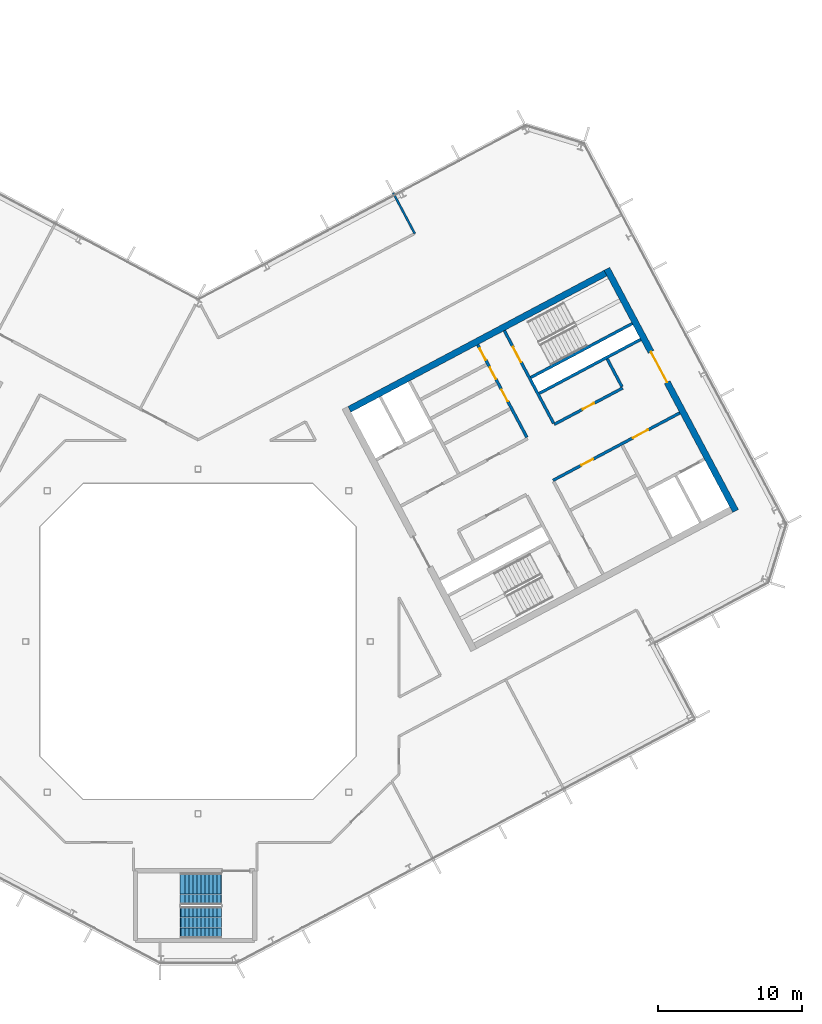
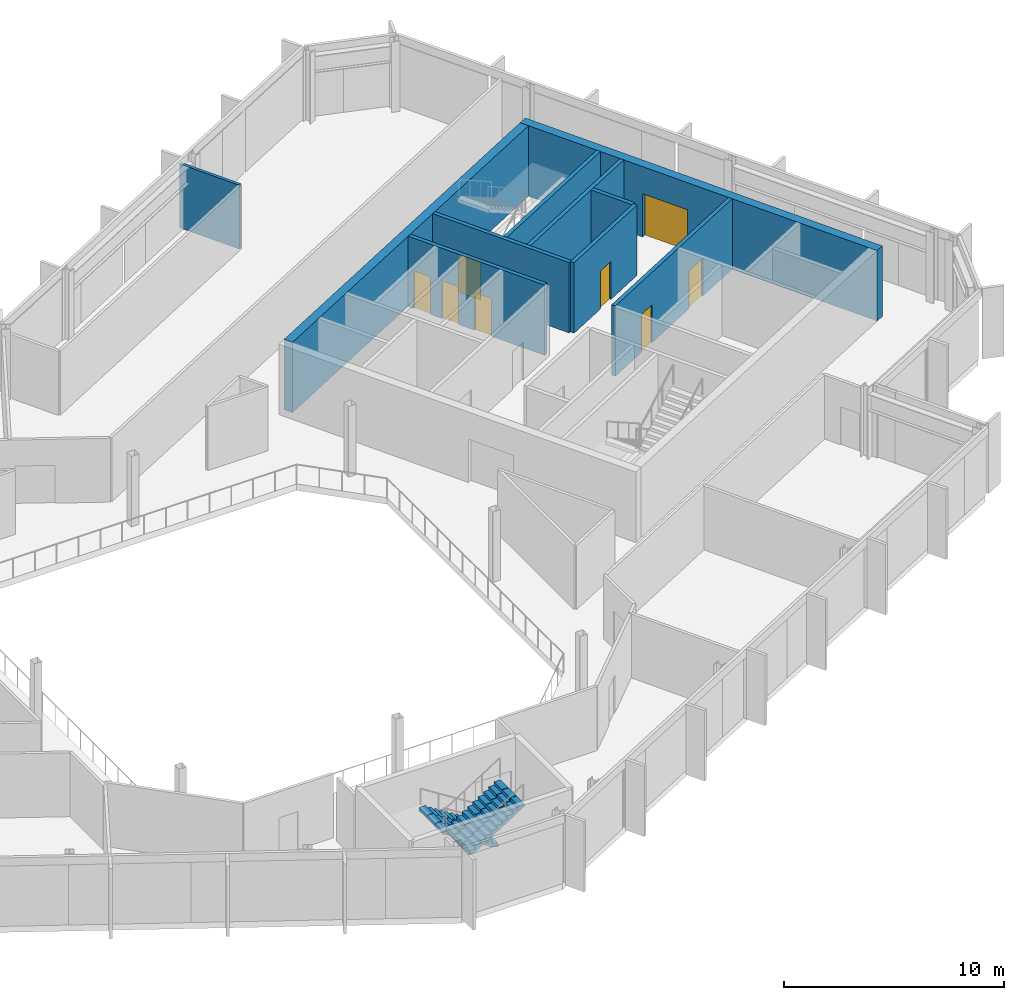
# One storey, part 17 of 26: 10 walls, 8 doors, 2 stair flights, 8 openings, 1 element without a shape of its own.
"""IFC4 building model written with IfcOpenShell, lengths in metres."""

from ifc_helpers import new_model, si_unit, direction, frame, frame_2d, origin, place, context, subcontext, project, spatial, polyline, rectangle, outline, extrude, material, layer, layer_set, type_object, element, fill, aggregate, save


model = new_model("IFC4")

# Units and contexts
model_context = context("Model", 3, precision=1e-05, world=origin(), true_north=direction((0.0, 1.0)))
body_context = subcontext(model_context, "Body", "Model", "MODEL_VIEW")
ifc_project = project(units=[si_unit("LENGTHUNIT", "METRE"), si_unit("AREAUNIT", "SQUARE_METRE"), si_unit("VOLUMEUNIT", "CUBIC_METRE"), si_unit("PLANEANGLEUNIT", "RADIAN"), si_unit("MASSUNIT", "GRAM", prefix="KILO")], contexts=[model_context])

# Site, building, storey
site_placement = place(None, origin())
site = spatial("IfcSite", under=ifc_project, at=site_placement, CompositionType="ELEMENT")
building_placement = place(site_placement, origin())
building = spatial("IfcBuilding", under=site, at=building_placement, Name="Cormorant Relay Tower", CompositionType="ELEMENT")
storey_placement = place(building_placement, frame((0.0, 0.0, 269.699951171875)))
storey = spatial("IfcBuildingStorey", under=building, at=storey_placement, Name="L60", CompositionType="ELEMENT", Elevation=269.699951171875)

# Wall, openings, doors
ifc_material_1 = material(Name="Concrete 50 MPa", Category="concrete")
ifc_layer_1 = layer(ifc_material_1, 0.199951171875)
ifc_layer_set_1 = layer_set([ifc_layer_1], Name="Core shaft wall 200")
wall_type_1 = type_object("IfcWallType", Name="Core shaft wall 200", PredefinedType="SHEAR", material=ifc_layer_set_1)
wall_1_placement = place(storey_placement, frame((22.90625, 14.218017578125, 0.0), z_axis=(0.0, 0.0, 1.0), x_axis=(-0.469480409012, 0.88294288918, 0.0)))
wall_1 = element("IfcWall", 1, at=wall_1_placement, inside=storey, type_object=wall_type_1, Name="L60 core B shaft wall", PredefinedType="SHEAR", context=body_context, shape_type="SweptSolid", body=[
    extrude(rectangle(XDim=7.300048828125, YDim=0.199951171875, at=frame_2d((3.64990234375, 0.0))), origin(), (0.0, 0.0, 1.0), 3.900146484375),
])
opening_1_placement = place(wall_1_placement, frame((2.85009765625, 0.0, 0.0)))
opening_1 = element("IfcOpeningElement", 2, at=opening_1_placement, cuts=wall_1, Name="Opening CDD-299", PredefinedType="OPENING", context=body_context, shape_type="SweptSolid", body=[
    extrude(rectangle(XDim=0.89990234375, YDim=2.10009765625, at=frame_2d((0.449951171875, 1.050048828125))), frame((0.0, 0.10986328125, 0.0), z_axis=(0.0, -1.0, 0.0), x_axis=(1.0, 0.0, 0.0)), (0.0, 0.0, 1.0), 0.219970703125),
])
opening_2_placement = place(wall_1_placement, frame((4.60009765625, 0.0, 0.0)))
opening_2 = element("IfcOpeningElement", 3, at=opening_2_placement, cuts=wall_1, Name="Opening CDD-300", PredefinedType="OPENING", context=body_context, shape_type="SweptSolid", body=[
    extrude(rectangle(XDim=0.89990234375, YDim=2.10009765625, at=frame_2d((0.449951171875, 1.050048828125))), frame((0.0, 0.10986328125, 0.0), z_axis=(0.0, -1.0, 0.0), x_axis=(1.0, 0.0, 0.0)), (0.0, 0.0, 1.0), 0.219970703125),
])
opening_3_placement = place(wall_1_placement, frame((6.10009765625, 0.0, 0.0)))
opening_3 = element("IfcOpeningElement", 4, at=opening_3_placement, cuts=wall_1, Name="Opening CDD-301", PredefinedType="OPENING", context=body_context, shape_type="SweptSolid", body=[
    extrude(rectangle(XDim=0.89990234375, YDim=2.10009765625, at=frame_2d((0.449951171875, 1.050048828125))), frame((0.0, 0.10986328125, 0.0), z_axis=(0.0, -1.0, 0.0), x_axis=(1.0, 0.0, 0.0)), (0.0, 0.0, 1.0), 0.219970703125),
])
ifc_material_2 = material(Name="Steel fire door", Category="steel")
door_type_1 = type_object("IfcDoorType", Name="Core room door 900x2100", OperationType="SINGLE_SWING_LEFT", PredefinedType="DOOR", material=ifc_material_2)
door_1_placement = place(opening_1_placement, origin())
door_1 = element("IfcDoor", 5, at=door_1_placement, inside=storey, type_object=door_type_1, Name="Core room door 900x2100", OperationType="SINGLE_SWING_RIGHT", OverallHeight=2.10009765625, OverallWidth=0.89990234375, PredefinedType="DOOR", context=body_context, shape_type="SweptSolid", body=[
    extrude(rectangle(XDim=0.89990234375, YDim=2.10009765625, at=frame_2d((0.449951171875, 1.050048828125))), frame((0.0, 0.02490234375, 0.0), z_axis=(0.0, -1.0, 0.0), x_axis=(1.0, 0.0, 0.0)), (0.0, 0.0, 1.0), 0.050048828125),
])
fill(opening_1, door_1)
door_2_placement = place(opening_2_placement, origin())
door_2 = element("IfcDoor", 6, at=door_2_placement, inside=storey, type_object=door_type_1, Name="Core room door 900x2100", OperationType="SINGLE_SWING_LEFT", OverallHeight=2.10009765625, OverallWidth=0.89990234375, PredefinedType="DOOR", context=body_context, shape_type="SweptSolid", body=[
    extrude(rectangle(XDim=0.89990234375, YDim=2.10009765625, at=frame_2d((0.449951171875, 1.050048828125))), frame((0.0, 0.02490234375, 0.0), z_axis=(0.0, -1.0, 0.0), x_axis=(1.0, 0.0, 0.0)), (0.0, 0.0, 1.0), 0.050048828125),
])
fill(opening_2, door_2)
door_3_placement = place(opening_3_placement, origin())
door_3 = element("IfcDoor", 7, at=door_3_placement, inside=storey, type_object=door_type_1, Name="Core room door 900x2100", OperationType="SINGLE_SWING_LEFT", OverallHeight=2.10009765625, OverallWidth=0.89990234375, PredefinedType="DOOR", context=body_context, shape_type="SweptSolid", body=[
    extrude(rectangle(XDim=0.89990234375, YDim=2.10009765625, at=frame_2d((0.449951171875, 1.050048828125))), frame((0.0, 0.02490234375, 0.0), z_axis=(0.0, -1.0, 0.0), x_axis=(1.0, 0.0, 0.0)), (0.0, 0.0, 1.0), 0.050048828125),
])
fill(opening_3, door_3)

# Wall, opening, door
wall_2_placement = place(storey_placement, frame((24.760498046875, 15.2041015625, 0.0), z_axis=(0.0, 0.0, 1.0), x_axis=(-0.469494272526, 0.882935517501, 0.0)))
wall_2 = element("IfcWall", 8, at=wall_2_placement, inside=storey, type_object=wall_type_1, Name="L60 core B shaft wall", PredefinedType="SHEAR", context=body_context, shape_type="SweptSolid", body=[
    extrude(rectangle(XDim=7.2998046875, YDim=0.199951171875, at=frame_2d((3.64990234375, 0.0))), origin(), (0.0, 0.0, 1.0), 3.900146484375),
])
opening_4_placement = place(wall_2_placement, frame((4.800048828125, 0.0, 0.0)))
opening_4 = element("IfcOpeningElement", 9, at=opening_4_placement, cuts=wall_2, Name="Opening CDB-041", PredefinedType="OPENING", context=body_context, shape_type="SweptSolid", body=[
    extrude(rectangle(XDim=1.199951171875, YDim=2.10009765625, at=frame_2d((0.60009765625, 1.050048828125))), frame((0.0, 0.10986328125, 0.0), z_axis=(0.0, -1.0, 0.0), x_axis=(1.0, 0.0, 0.0)), (0.0, 0.0, 1.0), 0.219970703125),
])
ifc_material_3 = material(Name="Steel fire door", Category="steel")
door_type_2 = type_object("IfcDoorType", Name="Core stair door 1200x2100", OperationType="SINGLE_SWING_LEFT", PredefinedType="DOOR", material=ifc_material_3)
door_4_placement = place(opening_4_placement, frame((1.199951171875, 0.0, 0.0), z_axis=(0.0, 0.0, 1.0), x_axis=(-1.0, 0.0, 0.0)))
door_4 = element("IfcDoor", 10, at=door_4_placement, inside=storey, type_object=door_type_2, Name="Core stair door 1200x2100", OperationType="SINGLE_SWING_RIGHT", OverallHeight=2.10009765625, OverallWidth=1.199951171875, PredefinedType="DOOR", context=body_context, shape_type="SweptSolid", body=[
    extrude(rectangle(XDim=1.199951171875, YDim=2.10009765625, at=frame_2d((0.60009765625, 1.050048828125))), frame((0.0, 0.02490234375, 0.0), z_axis=(0.0, -1.0, 0.0), x_axis=(1.0, 0.0, 0.0)), (0.0, 0.0, 1.0), 0.050048828125),
])
fill(opening_4, door_4)

# Wall
wall_3_placement = place(storey_placement, frame((29.5283203125, 17.739013671875, 0.0), z_axis=(0.0, 0.0, 1.0), x_axis=(-0.469401318492, 0.882984938828, 0.0)))
element("IfcWall", 11, at=wall_3_placement, inside=storey, type_object=wall_type_1, Name="L60 core B shaft wall", PredefinedType="SHEAR", context=body_context, shape_type="SweptSolid", body=[
    extrude(rectangle(XDim=2.199951171875, YDim=0.199951171875, at=frame_2d((1.10009765625, 0.0))), origin(), (0.0, 0.0, 1.0), 3.900146484375),
])

# Wall, openings, doors
wall_4_placement = place(storey_placement, frame((24.72607421875, 11.2216796875, 0.0), z_axis=(0.0, 0.0, 1.0), x_axis=(0.882940221191, 0.469485426614, 0.0)))
wall_4 = element("IfcWall", 12, at=wall_4_placement, inside=storey, type_object=wall_type_1, Name="L60 core B shaft wall", PredefinedType="SHEAR", context=body_context, shape_type="SweptSolid", body=[
    extrude(rectangle(XDim=10.0, YDim=0.199951171875, at=frame_2d((5.0, 0.0))), origin(), (0.0, 0.0, 1.0), 3.900146484375),
])
opening_5_placement = place(wall_4_placement, frame((6.300048828125, 0.0, 0.0)))
opening_5 = element("IfcOpeningElement", 13, at=opening_5_placement, cuts=wall_4, Name="Opening CDC-038", PredefinedType="OPENING", context=body_context, shape_type="SweptSolid", body=[
    extrude(rectangle(XDim=1.199951171875, YDim=2.10009765625, at=frame_2d((0.60009765625, 1.050048828125))), frame((0.0, 0.10986328125, 0.0), z_axis=(0.0, -1.0, 0.0), x_axis=(1.0, 0.0, 0.0)), (0.0, 0.0, 1.0), 0.219970703125),
])
opening_6_placement = place(wall_4_placement, frame((2.25, 0.0, 0.0)))
opening_6 = element("IfcOpeningElement", 14, at=opening_6_placement, cuts=wall_4, Name="Opening CDD-263", PredefinedType="OPENING", context=body_context, shape_type="SweptSolid", body=[
    extrude(rectangle(XDim=0.89990234375, YDim=2.10009765625, at=frame_2d((0.449951171875, 1.050048828125))), frame((0.0, 0.10986328125, 0.0), z_axis=(0.0, -1.0, 0.0), x_axis=(1.0, 0.0, 0.0)), (0.0, 0.0, 1.0), 0.219970703125),
])
ifc_material_4 = material(Name="Steel fire door", Category="steel")
door_type_3 = type_object("IfcDoorType", Name="Core lobby door 1200x2100", OperationType="SINGLE_SWING_LEFT", PredefinedType="DOOR", material=ifc_material_4)
door_5_placement = place(opening_5_placement, origin())
door_5 = element("IfcDoor", 15, at=door_5_placement, inside=storey, type_object=door_type_3, Name="Core lobby door 1200x2100", OperationType="SINGLE_SWING_LEFT", OverallHeight=2.10009765625, OverallWidth=1.199951171875, PredefinedType="DOOR", context=body_context, shape_type="SweptSolid", body=[
    extrude(rectangle(XDim=1.199951171875, YDim=2.10009765625, at=frame_2d((0.60009765625, 1.050048828125))), frame((0.0, 0.02490234375, 0.0), z_axis=(0.0, -1.0, 0.0), x_axis=(1.0, 0.0, 0.0)), (0.0, 0.0, 1.0), 0.050048828125),
])
fill(opening_5, door_5)
door_6_placement = place(opening_6_placement, frame((0.89990234375, 0.0, 0.0), z_axis=(0.0, 0.0, 1.0), x_axis=(-1.0, 0.0, 0.0)))
door_6 = element("IfcDoor", 16, at=door_6_placement, inside=storey, type_object=door_type_1, Name="Core room door 900x2100", OperationType="SINGLE_SWING_RIGHT", OverallHeight=2.10009765625, OverallWidth=0.89990234375, PredefinedType="DOOR", context=body_context, shape_type="SweptSolid", body=[
    extrude(rectangle(XDim=0.89990234375, YDim=2.10009765625, at=frame_2d((0.449951171875, 1.050048828125))), frame((0.0, 0.02490234375, 0.0), z_axis=(0.0, -1.0, 0.0), x_axis=(1.0, 0.0, 0.0)), (0.0, 0.0, 1.0), 0.050048828125),
])
fill(opening_6, door_6)

# Wall, opening, door
wall_5_placement = place(storey_placement, frame((24.807373046875, 15.11572265625, 0.0), z_axis=(0.0, 0.0, 1.0), x_axis=(0.882942972946, 0.469480251476, 0.0)))
wall_5 = element("IfcWall", 17, at=wall_5_placement, inside=storey, type_object=wall_type_1, Name="L60 core B shaft wall", PredefinedType="SHEAR", context=body_context, shape_type="SweptSolid", body=[
    extrude(rectangle(XDim=5.39990234375, YDim=0.199951171875, at=frame_2d((2.699951171875, 0.0))), origin(), (0.0, 0.0, 1.0), 3.900146484375),
])
opening_7_placement = place(wall_5_placement, frame((2.25, 0.0, 0.0)))
opening_7 = element("IfcOpeningElement", 18, at=opening_7_placement, cuts=wall_5, Name="Opening CDD-261", PredefinedType="OPENING", context=body_context, shape_type="SweptSolid", body=[
    extrude(rectangle(XDim=0.89990234375, YDim=2.10009765625, at=frame_2d((0.449951171875, 1.050048828125))), frame((0.0, 0.10986328125, 0.0), z_axis=(0.0, -1.0, 0.0), x_axis=(1.0, 0.0, 0.0)), (0.0, 0.0, 1.0), 0.219970703125),
])
door_7_placement = place(opening_7_placement, origin())
door_7 = element("IfcDoor", 19, at=door_7_placement, inside=storey, type_object=door_type_1, Name="Core room door 900x2100", OperationType="SINGLE_SWING_LEFT", OverallHeight=2.10009765625, OverallWidth=0.89990234375, PredefinedType="DOOR", context=body_context, shape_type="SweptSolid", body=[
    extrude(rectangle(XDim=0.89990234375, YDim=2.10009765625, at=frame_2d((0.449951171875, 1.050048828125))), frame((0.0, 0.02490234375, 0.0), z_axis=(0.0, -1.0, 0.0), x_axis=(1.0, 0.0, 0.0)), (0.0, 0.0, 1.0), 0.050048828125),
])
fill(opening_7, door_7)

# Walls
wall_6_placement = place(storey_placement, frame((23.76904296875, 17.28173828125, 0.0), z_axis=(0.0, 0.0, 1.0), x_axis=(0.882940221191, 0.469485426614, 0.0)))
element("IfcWall", 20, at=wall_6_placement, inside=storey, type_object=wall_type_1, Name="L60 core B shaft wall", PredefinedType="SHEAR", context=body_context, shape_type="SweptSolid", body=[
    extrude(rectangle(XDim=8.0, YDim=0.199951171875, at=frame_2d((4.0, 0.0))), origin(), (0.0, 0.0, 1.0), 3.900146484375),
])
wall_7_placement = place(storey_placement, frame((23.18212890625, 18.385498046875, 0.0), z_axis=(0.0, 0.0, 1.0), x_axis=(0.88295287151, 0.469461634952, 0.0)))
element("IfcWall", 21, at=wall_7_placement, inside=storey, type_object=wall_type_1, Name="L60 core B shaft wall", PredefinedType="SHEAR", context=body_context, shape_type="SweptSolid", body=[
    extrude(rectangle(XDim=7.999755859375, YDim=0.199951171875, at=frame_2d((4.0, 0.0))), origin(), (0.0, 0.0, 1.0), 3.900146484375),
])

# Wall, opening, door
ifc_material_5 = material(Name="Concrete 50 MPa", Category="concrete")
ifc_layer_2 = layer(ifc_material_5, 0.449951171875)
ifc_layer_set_2 = layer_set([ifc_layer_2], Name="Core wall 450")
wall_type_2 = type_object("IfcWallType", Name="Core wall 450", PredefinedType="SHEAR", material=ifc_layer_set_2)
wall_8_placement = place(storey_placement, frame((37.439453125, 9.0908203125, 0.0), z_axis=(0.0, 0.0, 1.0), x_axis=(-0.469467968382, 0.882949504028, 0.0)))
wall_8 = element("IfcWall", 22, at=wall_8_placement, inside=storey, type_object=wall_type_2, Name="L60 core B wall", PredefinedType="SHEAR", context=body_context, shape_type="SweptSolid", body=[
    extrude(rectangle(XDim=19.099853515625, YDim=0.449951171875, at=frame_2d((9.5498046875, 0.0))), origin(), (0.0, 0.0, 1.0), 3.900146484375),
])
opening_8_placement = place(wall_8_placement, frame((10.14990234375, 0.0, 0.0)))
opening_8 = element("IfcOpeningElement", 23, at=opening_8_placement, cuts=wall_8, Name="Opening CDA-053", PredefinedType="OPENING", context=body_context, shape_type="SweptSolid", body=[
    extrude(rectangle(XDim=2.39990234375, YDim=2.39990234375, at=frame_2d((1.199951171875, 1.199951171875))), frame((0.0, 0.23486328125, 0.0), z_axis=(0.0, -1.0, 0.0), x_axis=(1.0, 0.0, 0.0)), (0.0, 0.0, 1.0), 0.469970703125),
])
ifc_material_6 = material(Name="Steel fire door", Category="steel")
door_type_4 = type_object("IfcDoorType", Name="Core lobby door 2400x2400", OperationType="DOUBLE_DOOR_SINGLE_SWING", PredefinedType="DOOR", material=ifc_material_6)
door_8_placement = place(opening_8_placement, origin())
door_8 = element("IfcDoor", 24, at=door_8_placement, inside=storey, type_object=door_type_4, Name="Core lobby door 2400x2400", OperationType="DOUBLE_DOOR_SINGLE_SWING", OverallHeight=2.39990234375, OverallWidth=2.39990234375, PredefinedType="DOOR", context=body_context, shape_type="SweptSolid", body=[
    extrude(rectangle(XDim=2.39990234375, YDim=2.39990234375, at=frame_2d((1.199951171875, 1.199951171875))), frame((0.0, 0.02490234375, 0.0), z_axis=(0.0, -1.0, 0.0), x_axis=(1.0, 0.0, 0.0)), (0.0, 0.0, 1.0), 0.050048828125),
])
fill(opening_8, door_8)

# Walls
wall_9_placement = place(storey_placement, frame((10.5439453125, 16.16748046875, 0.0), z_axis=(0.0, 0.0, 1.0), x_axis=(0.882947755831, 0.46947125628, 0.0)))
element("IfcWall", 25, at=wall_9_placement, inside=storey, type_object=wall_type_2, Name="L60 core B wall", PredefinedType="SHEAR", context=body_context, shape_type="SweptSolid", body=[
    extrude(rectangle(XDim=20.2001953125, YDim=0.449951171875, at=frame_2d((10.10009765625, 0.0))), origin(), (0.0, 0.0, 1.0), 3.900146484375),
])
ifc_material_7 = material(Name="Gypsum board partition")
ifc_layer_3 = layer(ifc_material_7, 0.14990234375)
ifc_layer_set_3 = layer_set([ifc_layer_3], Name="Tenant partition 150")
wall_type_3 = type_object("IfcWallType", Name="Tenant partition 150", PredefinedType="PARTITIONING", material=ifc_layer_set_3)
wall_10_placement = place(storey_placement, frame((15.093994140625, 28.412109375, 0.0), z_axis=(0.0, 0.0, 1.0), x_axis=(-0.469082703107, 0.883154243406, 0.0)))
element("IfcWall", 26, at=wall_10_placement, inside=storey, type_object=wall_type_3, Name="wall/L60/part/031", PredefinedType="PARTITIONING", context=body_context, shape_type="SweptSolid", body=[
    extrude(rectangle(XDim=3.19970703125, YDim=0.14990234375, at=frame_2d((1.599853515625, 0.0))), origin(), (0.0, 0.0, 1.0), 3.5400390625),
])

# Stair, stair flights
ifc_material_8 = material(Name="Concrete 40 MPa", Category="concrete")
stair_type = type_object("IfcStairType", Name="Remote exit stair 2200", PredefinedType="HALF_TURN_STAIR", material=ifc_material_8)
stair_placement = place(storey_placement, origin())
stair = element("IfcStair", 27, at=stair_placement, inside=storey, type_object=stair_type, Name="L60 Stair", PredefinedType="HALF_TURN_STAIR")
ifc_material_9 = material(Name="Concrete 40 MPa", Category="concrete")
stair_flight_type = type_object("IfcStairFlightType", Name="Remote exit stair flight 2200", PredefinedType="STRAIGHT", material=ifc_material_9)
stair_flight_1_placement = place(storey_placement, frame((1.60009765625, -17.22509765625, 0.0), z_axis=(0.0, 0.0, 1.0), x_axis=(-1.0, 0.0, 0.0)))
stair_flight_1 = element("IfcStairFlight", 28, at=stair_flight_1_placement, type_object=stair_flight_type, Name="RK1 flight 1", NumberOfRisers=11, NumberOfTreads=10, PredefinedType="STRAIGHT", RiserHeight=0.177272727, TreadLength=0.28, context=body_context, shape_type="SweptSolid", body=[
    extrude(outline(polyline([(-0.050048828125, -0.080078125), (-0.050048828125, 0.0), (0.0, 0.0), (0.0, 0.17724609375), (0.280029296875, 0.17724609375), (0.280029296875, 0.3544921875), (0.56005859375, 0.3544921875), (0.56005859375, 0.53173828125), (0.840087890625, 0.53173828125), (0.840087890625, 0.708984375), (1.1201171875, 0.708984375), (1.1201171875, 0.886474609375), (1.39990234375, 0.886474609375), (1.39990234375, 1.063720703125), (1.679931640625, 1.063720703125), (1.679931640625, 1.240966796875), (1.9599609375, 1.240966796875), (1.9599609375, 1.418212890625), (2.239990234375, 1.418212890625), (2.239990234375, 1.595458984375), (2.52001953125, 1.595458984375), (2.52001953125, 1.772705078125), (2.800048828125, 1.772705078125), (2.85009765625, 1.772705078125), (2.85009765625, 1.59521484375), (2.800048828125, 1.59521484375), (0.2802734375, 0.0), (-0.050048828125, -0.080078125)])), frame((0.0, 1.10009765625, 0.0), z_axis=(0.0, -1.0, 0.0), x_axis=(1.0, 0.0, 0.0)), (0.0, 0.0, 1.0), 0.719970703125),
    extrude(outline(polyline([(-0.050048828125, -0.080078125), (-0.050048828125, 0.0), (0.0, 0.0), (0.0, 0.17724609375), (0.280029296875, 0.17724609375), (0.280029296875, 0.3544921875), (0.56005859375, 0.3544921875), (0.56005859375, 0.53173828125), (0.840087890625, 0.53173828125), (0.840087890625, 0.708984375), (1.1201171875, 0.708984375), (1.1201171875, 0.886474609375), (1.39990234375, 0.886474609375), (1.39990234375, 1.063720703125), (1.679931640625, 1.063720703125), (1.679931640625, 1.240966796875), (1.9599609375, 1.240966796875), (1.9599609375, 1.418212890625), (2.239990234375, 1.418212890625), (2.239990234375, 1.595458984375), (2.52001953125, 1.595458984375), (2.52001953125, 1.772705078125), (2.800048828125, 1.772705078125), (2.85009765625, 1.772705078125), (2.85009765625, 1.59521484375), (2.800048828125, 1.59521484375), (0.2802734375, 0.0), (-0.050048828125, -0.080078125)])), frame((0.0, 0.360107421875, 0.0), z_axis=(0.0, -1.0, 0.0), x_axis=(1.0, 0.0, 0.0)), (0.0, 0.0, 1.0), 0.719970703125),
    extrude(outline(polyline([(-0.050048828125, -0.080078125), (-0.050048828125, 0.0), (0.0, 0.0), (0.0, 0.17724609375), (0.280029296875, 0.17724609375), (0.280029296875, 0.3544921875), (0.56005859375, 0.3544921875), (0.56005859375, 0.53173828125), (0.840087890625, 0.53173828125), (0.840087890625, 0.708984375), (1.1201171875, 0.708984375), (1.1201171875, 0.886474609375), (1.39990234375, 0.886474609375), (1.39990234375, 1.063720703125), (1.679931640625, 1.063720703125), (1.679931640625, 1.240966796875), (1.9599609375, 1.240966796875), (1.9599609375, 1.418212890625), (2.239990234375, 1.418212890625), (2.239990234375, 1.595458984375), (2.52001953125, 1.595458984375), (2.52001953125, 1.772705078125), (2.800048828125, 1.772705078125), (2.85009765625, 1.772705078125), (2.85009765625, 1.59521484375), (2.800048828125, 1.59521484375), (0.2802734375, 0.0), (-0.050048828125, -0.080078125)])), frame((0.0, -0.3798828125, 0.0), z_axis=(0.0, -1.0, 0.0), x_axis=(1.0, 0.0, 0.0)), (0.0, 0.0, 1.0), 0.719970703125),
])
stair_flight_2_placement = place(storey_placement, frame((-1.199951171875, -19.574951171875, 1.949951171875), z_axis=(0.0, 0.0, 1.0), x_axis=(1.0, 0.0, 0.0)))
stair_flight_2 = element("IfcStairFlight", 29, at=stair_flight_2_placement, type_object=stair_flight_type, Name="RK1 flight 2", NumberOfRisers=11, NumberOfTreads=10, PredefinedType="STRAIGHT", RiserHeight=0.177272727, TreadLength=0.28, context=body_context, shape_type="SweptSolid", body=[
    extrude(outline(polyline([(-0.050048828125, -0.080078125), (-0.050048828125, 0.0), (0.0, 0.0), (0.0, 0.17724609375), (0.280029296875, 0.17724609375), (0.280029296875, 0.3544921875), (0.56005859375, 0.3544921875), (0.56005859375, 0.53173828125), (0.840087890625, 0.53173828125), (0.840087890625, 0.708984375), (1.1201171875, 0.708984375), (1.1201171875, 0.886474609375), (1.39990234375, 0.886474609375), (1.39990234375, 1.063720703125), (1.679931640625, 1.063720703125), (1.679931640625, 1.240966796875), (1.9599609375, 1.240966796875), (1.9599609375, 1.418212890625), (2.239990234375, 1.418212890625), (2.239990234375, 1.595458984375), (2.52001953125, 1.595458984375), (2.52001953125, 1.772705078125), (2.800048828125, 1.772705078125), (2.85009765625, 1.772705078125), (2.85009765625, 1.59521484375), (2.800048828125, 1.59521484375), (0.2802734375, 0.0), (-0.050048828125, -0.080078125)])), frame((0.0, 1.10009765625, 0.0), z_axis=(0.0, -1.0, 0.0), x_axis=(1.0, 0.0, 0.0)), (0.0, 0.0, 1.0), 0.719970703125),
    extrude(outline(polyline([(-0.050048828125, -0.080078125), (-0.050048828125, 0.0), (0.0, 0.0), (0.0, 0.17724609375), (0.280029296875, 0.17724609375), (0.280029296875, 0.3544921875), (0.56005859375, 0.3544921875), (0.56005859375, 0.53173828125), (0.840087890625, 0.53173828125), (0.840087890625, 0.708984375), (1.1201171875, 0.708984375), (1.1201171875, 0.886474609375), (1.39990234375, 0.886474609375), (1.39990234375, 1.063720703125), (1.679931640625, 1.063720703125), (1.679931640625, 1.240966796875), (1.9599609375, 1.240966796875), (1.9599609375, 1.418212890625), (2.239990234375, 1.418212890625), (2.239990234375, 1.595458984375), (2.52001953125, 1.595458984375), (2.52001953125, 1.772705078125), (2.800048828125, 1.772705078125), (2.85009765625, 1.772705078125), (2.85009765625, 1.59521484375), (2.800048828125, 1.59521484375), (0.2802734375, 0.0), (-0.050048828125, -0.080078125)])), frame((0.0, 0.360107421875, 0.0), z_axis=(0.0, -1.0, 0.0), x_axis=(1.0, 0.0, 0.0)), (0.0, 0.0, 1.0), 0.719970703125),
    extrude(outline(polyline([(-0.050048828125, -0.080078125), (-0.050048828125, 0.0), (0.0, 0.0), (0.0, 0.17724609375), (0.280029296875, 0.17724609375), (0.280029296875, 0.3544921875), (0.56005859375, 0.3544921875), (0.56005859375, 0.53173828125), (0.840087890625, 0.53173828125), (0.840087890625, 0.708984375), (1.1201171875, 0.708984375), (1.1201171875, 0.886474609375), (1.39990234375, 0.886474609375), (1.39990234375, 1.063720703125), (1.679931640625, 1.063720703125), (1.679931640625, 1.240966796875), (1.9599609375, 1.240966796875), (1.9599609375, 1.418212890625), (2.239990234375, 1.418212890625), (2.239990234375, 1.595458984375), (2.52001953125, 1.595458984375), (2.52001953125, 1.772705078125), (2.800048828125, 1.772705078125), (2.85009765625, 1.772705078125), (2.85009765625, 1.59521484375), (2.800048828125, 1.59521484375), (0.2802734375, 0.0), (-0.050048828125, -0.080078125)])), frame((0.0, -0.3798828125, 0.0), z_axis=(0.0, -1.0, 0.0), x_axis=(1.0, 0.0, 0.0)), (0.0, 0.0, 1.0), 0.719970703125),
])
aggregate(stair, [stair_flight_1, stair_flight_2])

save(model, "model.ifc")
